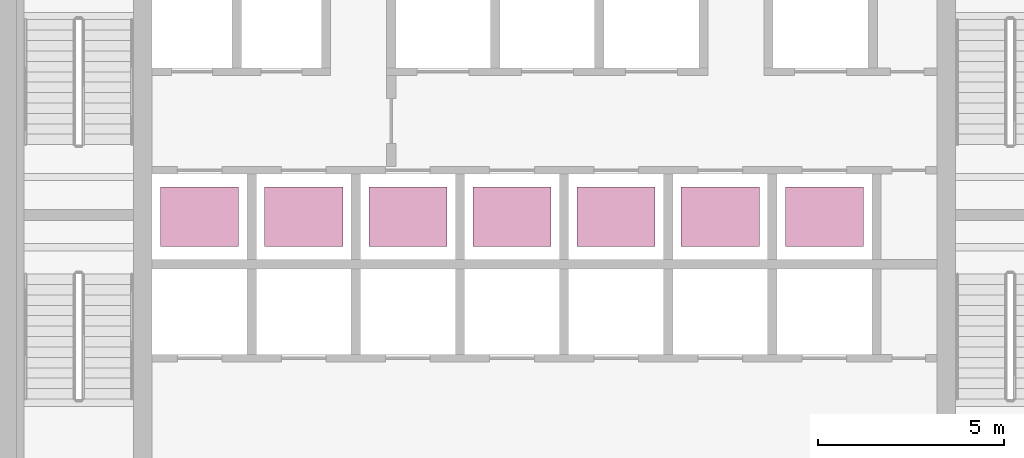
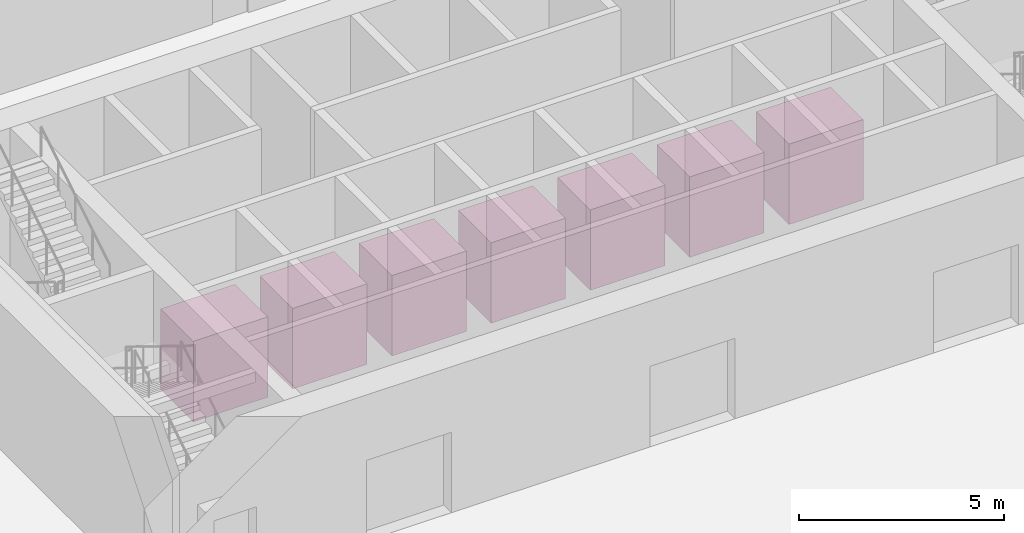
# One storey, part 26 of 27: 7 transport elements.
"""IFC4 building model written with IfcOpenShell, lengths in metres."""

from ifc_helpers import new_model, si_unit, direction, frame, origin, origin_2d, place, context, subcontext, project, spatial, rectangle, extrude, material, type_object, element, save


model = new_model("IFC4")

# Units and contexts
model_context = context("Model", 3, precision=1e-05, world=origin(), true_north=direction((0.0, 1.0)))
body_context = subcontext(model_context, "Body", "Model", "MODEL_VIEW")
ifc_project = project(units=[si_unit("LENGTHUNIT", "METRE"), si_unit("AREAUNIT", "SQUARE_METRE"), si_unit("VOLUMEUNIT", "CUBIC_METRE"), si_unit("PLANEANGLEUNIT", "RADIAN"), si_unit("MASSUNIT", "GRAM", prefix="KILO")], contexts=[model_context])

# Site, building, storey
site_placement = place(None, origin())
site = spatial("IfcSite", under=ifc_project, at=site_placement, CompositionType="ELEMENT")
building_placement = place(site_placement, origin())
building = spatial("IfcBuilding", under=site, at=building_placement, Name="Isthmus Gate Tower", CompositionType="ELEMENT")
storey_placement = place(building_placement, frame((0.0, 0.0, 121.64990234375)))
storey = spatial("IfcBuildingStorey", under=building, at=storey_placement, Name="L29", CompositionType="ELEMENT", Elevation=121.64990234375)

# Transport elements
ifc_material = material(Name="Stainless steel and laminated glass car", Category="steel")
transport_element_type = type_object("IfcTransportElementType", Name="LIFT CAR 2100 X 1600 1800 KG", PredefinedType="ELEVATOR", material=ifc_material)
for number, where, z_axis, x_axis, name in (
    (1, (-9.27490234375, 7.300048828125, 0.000244140625), (0.0, 0.0, 1.0), (1.0, 0.0, 0.0), "Lift LB1"),
    (2, (-6.47509765625, 7.300048828125, 0.000244140625), (0.0, 0.0, 1.0), (1.0, 0.0, 0.0), "Lift LB2"),
    (3, (-3.675048828125, 7.300048828125, 0.000244140625), (0.0, 0.0, 1.0), (1.0, 0.0, 0.0), "Lift LB3"),
    (4, (-0.875, 7.300048828125, 0.000244140625), (0.0, 0.0, 1.0), (1.0, 0.0, 0.0), "Lift LB4"),
    (5, (1.925048828125, 7.300048828125, 0.000244140625), (0.0, 0.0, 1.0), (1.0, 0.0, 0.0), "Lift LB5"),
    (6, (4.72509765625, 7.300048828125, 0.000244140625), (0.0, 0.0, 1.0), (1.0, 0.0, 0.0), "Lift LB6"),
    (7, (7.52490234375, 7.300048828125, 0.000244140625), (0.0, 0.0, 1.0), (1.0, 0.0, 0.0), "Lift LB7"),
):
    element("IfcTransportElement", number, at=place(storey_placement, frame(where, z_axis=z_axis, x_axis=x_axis)), inside=storey, type_object=transport_element_type, Name=name, PredefinedType="ELEVATOR", context=body_context, shape_type="SweptSolid", body=[
        extrude(rectangle(XDim=2.10009765625, YDim=1.60009765625, at=origin_2d()), origin(), (0.0, 0.0, 1.0), 2.39990234375),
    ])

save(model, "model.ifc")
